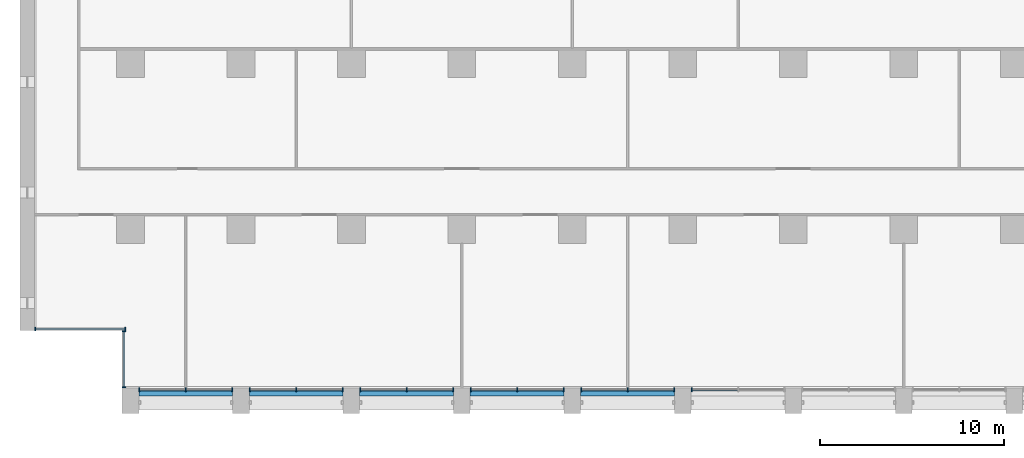
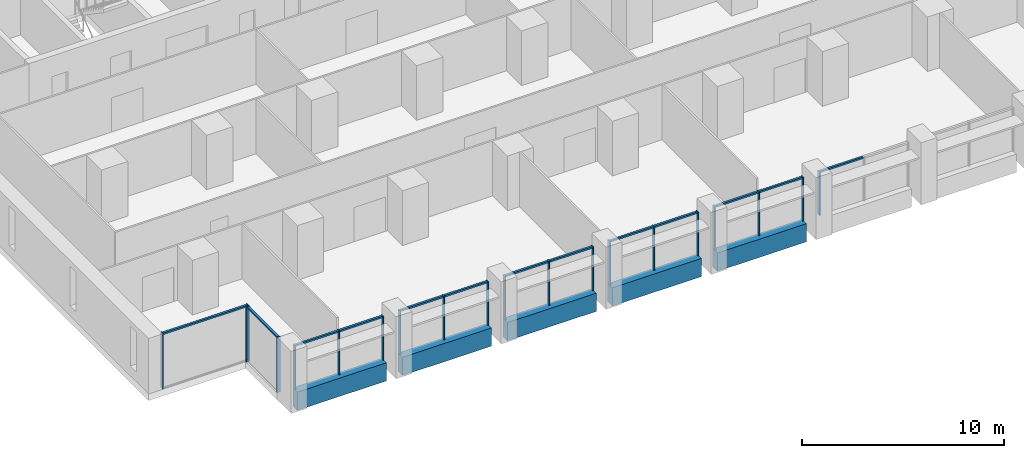
# One storey, part 2 of 18: 33 members, 5 beams, 8 elements without a shape of their own.
"""IFC4 building model written with IfcOpenShell, lengths in metres."""

from ifc_helpers import new_model, si_unit, direction, frame, origin, origin_2d, place, context, subcontext, project, spatial, rectangle, extrude, material, material_profile, profile_set, type_object, element, aggregate, save


model = new_model("IFC4")

# Units and contexts
model_context = context("Model", 3, precision=1e-05, world=origin(), true_north=direction((0.0, 1.0)))
body_context = subcontext(model_context, "Body", "Model", "MODEL_VIEW")
ifc_project = project(units=[si_unit("LENGTHUNIT", "METRE"), si_unit("AREAUNIT", "SQUARE_METRE"), si_unit("VOLUMEUNIT", "CUBIC_METRE"), si_unit("PLANEANGLEUNIT", "RADIAN"), si_unit("MASSUNIT", "GRAM", prefix="KILO")], contexts=[model_context])

# Site, building, storey
site_placement = place(None, origin())
site = spatial("IfcSite", under=ifc_project, at=site_placement, CompositionType="ELEMENT")
building_placement = place(site_placement, origin())
building = spatial("IfcBuilding", under=site, at=building_placement, Name="Calvaro Tower", CompositionType="ELEMENT")
storey_placement = place(building_placement, frame((0.0, 0.0, 78.75)))
storey = spatial("IfcBuildingStorey", under=building, at=storey_placement, Name="L19", CompositionType="ELEMENT", Elevation=78.75)

# Curtain wall, members
ifc_material_1 = material(Name="Anodised aluminium", Category="aluminium")
curtain_wall_type = type_object("IfcCurtainWallType", Name="Office curtain wall, lower zone", PredefinedType="NOTDEFINED", material=ifc_material_1)
curtain_wall_1_placement = place(storey_placement, origin())
curtain_wall_1 = element("IfcCurtainWall", 1, at=curtain_wall_1_placement, inside=storey, type_object=curtain_wall_type, Name="CW1 south curtain wall", PredefinedType="NOTDEFINED")
ifc_material_2 = material(Name="Anodised aluminium", Category="aluminium")
ifc_material_profile_1 = material_profile(ifc_material_2, rectangle(XDim=0.199951171875, YDim=0.06005859375, at=origin_2d()), Name="Mullion S1 60 x 200")
ifc_profile_set_1 = profile_set([ifc_material_profile_1], Name="Anodised aluminium")
member_type_1 = type_object("IfcMemberType", Name="Mullion S1 60 x 200", PredefinedType="MULLION", material=ifc_profile_set_1)
member_1_placement = place(storey_placement, frame((6.47998046875, 1.300048828125, 0.0), z_axis=(0.0, 0.0, 1.0), x_axis=(0.0, 1.0, 0.0)))
member_1 = element("IfcMember", 2, at=member_1_placement, type_object=member_type_1, Name="CW1 mullion 1", PredefinedType="MULLION", context=body_context, shape_type="SweptSolid", body=[
    extrude(rectangle(XDim=0.199951171875, YDim=0.06005859375, at=origin_2d()), origin(), (0.0, 0.0, 1.0), 2.64990234375),
])
member_2_placement = place(storey_placement, frame((9.0, 1.300048828125, 0.0), z_axis=(0.0, 0.0, 1.0), x_axis=(0.0, 1.0, 0.0)))
member_2 = element("IfcMember", 3, at=member_2_placement, type_object=member_type_1, Name="CW1 mullion 2", PredefinedType="MULLION", context=body_context, shape_type="SweptSolid", body=[
    extrude(rectangle(XDim=0.199951171875, YDim=0.06005859375, at=origin_2d()), origin(), (0.0, 0.0, 1.0), 2.64990234375),
])
member_3_placement = place(storey_placement, frame((11.52001953125, 1.300048828125, 0.0), z_axis=(0.0, 0.0, 1.0), x_axis=(0.0, 1.0, 0.0)))
member_3 = element("IfcMember", 4, at=member_3_placement, type_object=member_type_1, Name="CW1 mullion 3", PredefinedType="MULLION", context=body_context, shape_type="SweptSolid", body=[
    extrude(rectangle(XDim=0.199951171875, YDim=0.06005859375, at=origin_2d()), origin(), (0.0, 0.0, 1.0), 2.64990234375),
])

curtain_wall_2_placement = place(storey_placement, origin())
curtain_wall_2 = element("IfcCurtainWall", 5, at=curtain_wall_2_placement, inside=storey, type_object=curtain_wall_type, Name="CW1 south curtain wall", PredefinedType="NOTDEFINED")
member_4_placement = place(storey_placement, frame((12.47998046875, 1.300048828125, 0.0), z_axis=(0.0, 0.0, 1.0), x_axis=(0.0, 1.0, 0.0)))
member_4 = element("IfcMember", 6, at=member_4_placement, type_object=member_type_1, Name="CW1 mullion 1", PredefinedType="MULLION", context=body_context, shape_type="SweptSolid", body=[
    extrude(rectangle(XDim=0.199951171875, YDim=0.06005859375, at=origin_2d()), origin(), (0.0, 0.0, 1.0), 2.64990234375),
])
member_5_placement = place(storey_placement, frame((15.0, 1.300048828125, 0.0), z_axis=(0.0, 0.0, 1.0), x_axis=(0.0, 1.0, 0.0)))
member_5 = element("IfcMember", 7, at=member_5_placement, type_object=member_type_1, Name="CW1 mullion 2", PredefinedType="MULLION", context=body_context, shape_type="SweptSolid", body=[
    extrude(rectangle(XDim=0.199951171875, YDim=0.06005859375, at=origin_2d()), origin(), (0.0, 0.0, 1.0), 2.64990234375),
])
member_6_placement = place(storey_placement, frame((17.52001953125, 1.300048828125, 0.0), z_axis=(0.0, 0.0, 1.0), x_axis=(0.0, 1.0, 0.0)))
member_6 = element("IfcMember", 8, at=member_6_placement, type_object=member_type_1, Name="CW1 mullion 3", PredefinedType="MULLION", context=body_context, shape_type="SweptSolid", body=[
    extrude(rectangle(XDim=0.199951171875, YDim=0.06005859375, at=origin_2d()), origin(), (0.0, 0.0, 1.0), 2.64990234375),
])

curtain_wall_3_placement = place(storey_placement, origin())
curtain_wall_3 = element("IfcCurtainWall", 9, at=curtain_wall_3_placement, inside=storey, type_object=curtain_wall_type, Name="CW1 south curtain wall", PredefinedType="NOTDEFINED")
member_7_placement = place(storey_placement, frame((18.47998046875, 1.300048828125, 0.0), z_axis=(0.0, 0.0, 1.0), x_axis=(0.0, 1.0, 0.0)))
member_7 = element("IfcMember", 10, at=member_7_placement, type_object=member_type_1, Name="CW1 mullion 1", PredefinedType="MULLION", context=body_context, shape_type="SweptSolid", body=[
    extrude(rectangle(XDim=0.199951171875, YDim=0.06005859375, at=origin_2d()), origin(), (0.0, 0.0, 1.0), 2.64990234375),
])
member_8_placement = place(storey_placement, frame((21.0, 1.300048828125, 0.0), z_axis=(0.0, 0.0, 1.0), x_axis=(0.0, 1.0, 0.0)))
member_8 = element("IfcMember", 11, at=member_8_placement, type_object=member_type_1, Name="CW1 mullion 2", PredefinedType="MULLION", context=body_context, shape_type="SweptSolid", body=[
    extrude(rectangle(XDim=0.199951171875, YDim=0.06005859375, at=origin_2d()), origin(), (0.0, 0.0, 1.0), 2.64990234375),
])
member_9_placement = place(storey_placement, frame((23.52001953125, 1.300048828125, 0.0), z_axis=(0.0, 0.0, 1.0), x_axis=(0.0, 1.0, 0.0)))
member_9 = element("IfcMember", 12, at=member_9_placement, type_object=member_type_1, Name="CW1 mullion 3", PredefinedType="MULLION", context=body_context, shape_type="SweptSolid", body=[
    extrude(rectangle(XDim=0.199951171875, YDim=0.06005859375, at=origin_2d()), origin(), (0.0, 0.0, 1.0), 2.64990234375),
])

curtain_wall_4_placement = place(storey_placement, origin())
curtain_wall_4 = element("IfcCurtainWall", 13, at=curtain_wall_4_placement, inside=storey, type_object=curtain_wall_type, Name="CW1 south curtain wall", PredefinedType="NOTDEFINED")
member_10_placement = place(storey_placement, frame((24.47998046875, 1.300048828125, 0.0), z_axis=(0.0, 0.0, 1.0), x_axis=(0.0, 1.0, 0.0)))
member_10 = element("IfcMember", 14, at=member_10_placement, type_object=member_type_1, Name="CW1 mullion 1", PredefinedType="MULLION", context=body_context, shape_type="SweptSolid", body=[
    extrude(rectangle(XDim=0.199951171875, YDim=0.06005859375, at=origin_2d()), origin(), (0.0, 0.0, 1.0), 2.64990234375),
])
member_11_placement = place(storey_placement, frame((27.0, 1.300048828125, 0.0), z_axis=(0.0, 0.0, 1.0), x_axis=(0.0, 1.0, 0.0)))
member_11 = element("IfcMember", 15, at=member_11_placement, type_object=member_type_1, Name="CW1 mullion 2", PredefinedType="MULLION", context=body_context, shape_type="SweptSolid", body=[
    extrude(rectangle(XDim=0.199951171875, YDim=0.06005859375, at=origin_2d()), origin(), (0.0, 0.0, 1.0), 2.64990234375),
])
member_12_placement = place(storey_placement, frame((29.52001953125, 1.300048828125, 0.0), z_axis=(0.0, 0.0, 1.0), x_axis=(0.0, 1.0, 0.0)))
member_12 = element("IfcMember", 16, at=member_12_placement, type_object=member_type_1, Name="CW1 mullion 3", PredefinedType="MULLION", context=body_context, shape_type="SweptSolid", body=[
    extrude(rectangle(XDim=0.199951171875, YDim=0.06005859375, at=origin_2d()), origin(), (0.0, 0.0, 1.0), 2.64990234375),
])

curtain_wall_5_placement = place(storey_placement, origin())
curtain_wall_5 = element("IfcCurtainWall", 17, at=curtain_wall_5_placement, inside=storey, type_object=curtain_wall_type, Name="CW1 south curtain wall", PredefinedType="NOTDEFINED")
member_13_placement = place(storey_placement, frame((30.47998046875, 1.300048828125, 0.0), z_axis=(0.0, 0.0, 1.0), x_axis=(0.0, 1.0, 0.0)))
member_13 = element("IfcMember", 18, at=member_13_placement, type_object=member_type_1, Name="CW1 mullion 1", PredefinedType="MULLION", context=body_context, shape_type="SweptSolid", body=[
    extrude(rectangle(XDim=0.199951171875, YDim=0.06005859375, at=origin_2d()), origin(), (0.0, 0.0, 1.0), 2.64990234375),
])
member_14_placement = place(storey_placement, frame((33.0, 1.300048828125, 0.0), z_axis=(0.0, 0.0, 1.0), x_axis=(0.0, 1.0, 0.0)))
member_14 = element("IfcMember", 19, at=member_14_placement, type_object=member_type_1, Name="CW1 mullion 2", PredefinedType="MULLION", context=body_context, shape_type="SweptSolid", body=[
    extrude(rectangle(XDim=0.199951171875, YDim=0.06005859375, at=origin_2d()), origin(), (0.0, 0.0, 1.0), 2.64990234375),
])
member_15_placement = place(storey_placement, frame((35.52001953125, 1.300048828125, 0.0), z_axis=(0.0, 0.0, 1.0), x_axis=(0.0, 1.0, 0.0)))
member_15 = element("IfcMember", 20, at=member_15_placement, type_object=member_type_1, Name="CW1 mullion 3", PredefinedType="MULLION", context=body_context, shape_type="SweptSolid", body=[
    extrude(rectangle(XDim=0.199951171875, YDim=0.06005859375, at=origin_2d()), origin(), (0.0, 0.0, 1.0), 2.64990234375),
])

# Curtain wall, member
curtain_wall_6_placement = place(storey_placement, origin())
curtain_wall_6 = element("IfcCurtainWall", 21, at=curtain_wall_6_placement, inside=storey, type_object=curtain_wall_type, Name="CW1 south curtain wall", PredefinedType="NOTDEFINED")
member_16_placement = place(storey_placement, frame((36.47998046875, 1.300048828125, 0.0), z_axis=(0.0, 0.0, 1.0), x_axis=(0.0, 1.0, 0.0)))
member_16 = element("IfcMember", 22, at=member_16_placement, type_object=member_type_1, Name="CW1 mullion 1", PredefinedType="MULLION", context=body_context, shape_type="SweptSolid", body=[
    extrude(rectangle(XDim=0.199951171875, YDim=0.06005859375, at=origin_2d()), origin(), (0.0, 0.0, 1.0), 2.64990234375),
])

# Curtain wall, members
curtain_wall_7_placement = place(storey_placement, origin())
curtain_wall_7 = element("IfcCurtainWall", 23, at=curtain_wall_7_placement, inside=storey, type_object=curtain_wall_type, Name="CW1 corner curtain wall", PredefinedType="NOTDEFINED")
member_17_placement = place(storey_placement, frame((5.64990234375, 1.429931640625, 0.0), z_axis=(0.0, 0.0, 1.0), x_axis=(-1.0, 0.0, 0.0)))
member_17 = element("IfcMember", 24, at=member_17_placement, type_object=member_type_1, Name="CW1 mullion 1", PredefinedType="MULLION", context=body_context, shape_type="SweptSolid", body=[
    extrude(rectangle(XDim=0.199951171875, YDim=0.06005859375, at=origin_2d()), origin(), (0.0, 0.0, 1.0), 3.35009765625),
])
member_18_placement = place(storey_placement, frame((5.64990234375, 4.469970703125, 0.0), z_axis=(0.0, 0.0, 1.0), x_axis=(-1.0, 0.0, 0.0)))
member_18 = element("IfcMember", 25, at=member_18_placement, type_object=member_type_1, Name="CW1 mullion 2", PredefinedType="MULLION", context=body_context, shape_type="SweptSolid", body=[
    extrude(rectangle(XDim=0.199951171875, YDim=0.06005859375, at=origin_2d()), origin(), (0.0, 0.0, 1.0), 3.35009765625),
])

curtain_wall_8_placement = place(storey_placement, origin())
curtain_wall_8 = element("IfcCurtainWall", 26, at=curtain_wall_8_placement, inside=storey, type_object=curtain_wall_type, Name="CW1 corner curtain wall", PredefinedType="NOTDEFINED")
member_19_placement = place(storey_placement, frame((0.830078125, 4.60009765625, 0.0), z_axis=(0.0, 0.0, 1.0), x_axis=(0.0, 1.0, 0.0)))
member_19 = element("IfcMember", 27, at=member_19_placement, type_object=member_type_1, Name="CW1 mullion 1", PredefinedType="MULLION", context=body_context, shape_type="SweptSolid", body=[
    extrude(rectangle(XDim=0.199951171875, YDim=0.06005859375, at=origin_2d()), origin(), (0.0, 0.0, 1.0), 3.35009765625),
])
member_20_placement = place(storey_placement, frame((5.719970703125, 4.60009765625, 0.0), z_axis=(0.0, 0.0, 1.0), x_axis=(0.0, 1.0, 0.0)))
member_20 = element("IfcMember", 28, at=member_20_placement, type_object=member_type_1, Name="CW1 mullion 2", PredefinedType="MULLION", context=body_context, shape_type="SweptSolid", body=[
    extrude(rectangle(XDim=0.199951171875, YDim=0.06005859375, at=origin_2d()), origin(), (0.0, 0.0, 1.0), 3.35009765625),
])

# Beams
ifc_material_3 = material(Name="Concrete C50/60 precast", Category="concrete")
ifc_material_profile_2 = material_profile(ifc_material_3, rectangle(XDim=0.449951171875, YDim=1.10009765625, at=origin_2d()), Name="RC 450x1100")
ifc_profile_set_2 = profile_set([ifc_material_profile_2], Name="Concrete C50/60 precast")
beam_type = type_object("IfcBeamType", Name="Spandrel beam 450x1100 C50/60", PredefinedType="SPANDREL", material=ifc_profile_set_2)
for number, where, z_axis, x_axis, name in (
    (29, (6.449951171875, 1.175048828125, -0.550048828125), (1.0, 0.0, 0.0), (0.0, 1.0, 0.0), "Spandrel beam"),
    (30, (12.449951171875, 1.175048828125, -0.550048828125), (1.0, 0.0, 0.0), (0.0, 1.0, 0.0), "Spandrel beam"),
    (31, (18.449951171875, 1.175048828125, -0.550048828125), (1.0, 0.0, 0.0), (0.0, 1.0, 0.0), "Spandrel beam"),
    (32, (24.449951171875, 1.175048828125, -0.550048828125), (1.0, 0.0, 0.0), (0.0, 1.0, 0.0), "Spandrel beam"),
    (33, (30.449951171875, 1.175048828125, -0.550048828125), (1.0, 0.0, 0.0), (0.0, 1.0, 0.0), "Spandrel beam"),
):
    element("IfcBeam", number, at=place(storey_placement, frame(where, z_axis=z_axis, x_axis=x_axis)), inside=storey, type_object=beam_type, Name=name, PredefinedType="SPANDREL", context=body_context, shape_type="SweptSolid", body=[
        extrude(rectangle(XDim=0.449951171875, YDim=1.10009765625, at=origin_2d()), origin(), (0.0, 0.0, 1.0), 5.10009765625),
    ])

# Member
ifc_material_4 = material(Name="Anodised aluminium", Category="aluminium")
ifc_material_profile_3 = material_profile(ifc_material_4, rectangle(XDim=0.1201171875, YDim=0.10009765625, at=origin_2d()), Name="Transom S1 100 x 120")
ifc_profile_set_3 = profile_set([ifc_material_profile_3], Name="Anodised aluminium")
member_type_2 = type_object("IfcMemberType", Name="Transom S1 100 x 120", PredefinedType="USERDEFINED", material=ifc_profile_set_3)
member_21_placement = place(storey_placement, frame((6.510009765625, 1.300048828125, 2.60009765625), z_axis=(1.0, 0.0, 0.0), x_axis=(0.0, 1.0, 0.0)))
member_21 = element("IfcMember", 34, at=member_21_placement, type_object=member_type_2, Name="CW1 transom 1.1", ObjectType="TRANSOM", PredefinedType="USERDEFINED", context=body_context, shape_type="SweptSolid", body=[
    extrude(rectangle(XDim=0.1201171875, YDim=0.10009765625, at=origin_2d()), origin(), (0.0, 0.0, 1.0), 2.4599609375),
])

member_22_placement = place(storey_placement, frame((9.030029296875, 1.300048828125, 2.60009765625), z_axis=(1.0, 0.0, 0.0), x_axis=(0.0, 1.0, 0.0)))
member_22 = element("IfcMember", 35, at=member_22_placement, type_object=member_type_2, Name="CW1 transom 2.1", ObjectType="TRANSOM", PredefinedType="USERDEFINED", context=body_context, shape_type="SweptSolid", body=[
    extrude(rectangle(XDim=0.1201171875, YDim=0.10009765625, at=origin_2d()), origin(), (0.0, 0.0, 1.0), 2.4599609375),
])

aggregate(curtain_wall_1, [member_1, member_2, member_3, member_21, member_22])

member_23_placement = place(storey_placement, frame((12.510009765625, 1.300048828125, 2.60009765625), z_axis=(1.0, 0.0, 0.0), x_axis=(0.0, 1.0, 0.0)))
member_23 = element("IfcMember", 36, at=member_23_placement, type_object=member_type_2, Name="CW1 transom 1.1", ObjectType="TRANSOM", PredefinedType="USERDEFINED", context=body_context, shape_type="SweptSolid", body=[
    extrude(rectangle(XDim=0.1201171875, YDim=0.10009765625, at=origin_2d()), origin(), (0.0, 0.0, 1.0), 2.4599609375),
])

member_24_placement = place(storey_placement, frame((15.030029296875, 1.300048828125, 2.60009765625), z_axis=(1.0, 0.0, 0.0), x_axis=(0.0, 1.0, 0.0)))
member_24 = element("IfcMember", 37, at=member_24_placement, type_object=member_type_2, Name="CW1 transom 2.1", ObjectType="TRANSOM", PredefinedType="USERDEFINED", context=body_context, shape_type="SweptSolid", body=[
    extrude(rectangle(XDim=0.1201171875, YDim=0.10009765625, at=origin_2d()), origin(), (0.0, 0.0, 1.0), 2.4599609375),
])

aggregate(curtain_wall_2, [member_4, member_5, member_6, member_23, member_24])

member_25_placement = place(storey_placement, frame((18.510009765625, 1.300048828125, 2.60009765625), z_axis=(1.0, 0.0, 0.0), x_axis=(0.0, 1.0, 0.0)))
member_25 = element("IfcMember", 38, at=member_25_placement, type_object=member_type_2, Name="CW1 transom 1.1", ObjectType="TRANSOM", PredefinedType="USERDEFINED", context=body_context, shape_type="SweptSolid", body=[
    extrude(rectangle(XDim=0.1201171875, YDim=0.10009765625, at=origin_2d()), origin(), (0.0, 0.0, 1.0), 2.4599609375),
])

member_26_placement = place(storey_placement, frame((21.030029296875, 1.300048828125, 2.60009765625), z_axis=(1.0, 0.0, 0.0), x_axis=(0.0, 1.0, 0.0)))
member_26 = element("IfcMember", 39, at=member_26_placement, type_object=member_type_2, Name="CW1 transom 2.1", ObjectType="TRANSOM", PredefinedType="USERDEFINED", context=body_context, shape_type="SweptSolid", body=[
    extrude(rectangle(XDim=0.1201171875, YDim=0.10009765625, at=origin_2d()), origin(), (0.0, 0.0, 1.0), 2.4599609375),
])

aggregate(curtain_wall_3, [member_7, member_8, member_9, member_25, member_26])

member_27_placement = place(storey_placement, frame((24.510009765625, 1.300048828125, 2.60009765625), z_axis=(1.0, 0.0, 0.0), x_axis=(0.0, 1.0, 0.0)))
member_27 = element("IfcMember", 40, at=member_27_placement, type_object=member_type_2, Name="CW1 transom 1.1", ObjectType="TRANSOM", PredefinedType="USERDEFINED", context=body_context, shape_type="SweptSolid", body=[
    extrude(rectangle(XDim=0.1201171875, YDim=0.10009765625, at=origin_2d()), origin(), (0.0, 0.0, 1.0), 2.4599609375),
])

member_28_placement = place(storey_placement, frame((27.030029296875, 1.300048828125, 2.60009765625), z_axis=(1.0, 0.0, 0.0), x_axis=(0.0, 1.0, 0.0)))
member_28 = element("IfcMember", 41, at=member_28_placement, type_object=member_type_2, Name="CW1 transom 2.1", ObjectType="TRANSOM", PredefinedType="USERDEFINED", context=body_context, shape_type="SweptSolid", body=[
    extrude(rectangle(XDim=0.1201171875, YDim=0.10009765625, at=origin_2d()), origin(), (0.0, 0.0, 1.0), 2.4599609375),
])

aggregate(curtain_wall_4, [member_10, member_11, member_12, member_27, member_28])

member_29_placement = place(storey_placement, frame((30.510009765625, 1.300048828125, 2.60009765625), z_axis=(1.0, 0.0, 0.0), x_axis=(0.0, 1.0, 0.0)))
member_29 = element("IfcMember", 42, at=member_29_placement, type_object=member_type_2, Name="CW1 transom 1.1", ObjectType="TRANSOM", PredefinedType="USERDEFINED", context=body_context, shape_type="SweptSolid", body=[
    extrude(rectangle(XDim=0.1201171875, YDim=0.10009765625, at=origin_2d()), origin(), (0.0, 0.0, 1.0), 2.4599609375),
])

member_30_placement = place(storey_placement, frame((33.030029296875, 1.300048828125, 2.60009765625), z_axis=(1.0, 0.0, 0.0), x_axis=(0.0, 1.0, 0.0)))
member_30 = element("IfcMember", 43, at=member_30_placement, type_object=member_type_2, Name="CW1 transom 2.1", ObjectType="TRANSOM", PredefinedType="USERDEFINED", context=body_context, shape_type="SweptSolid", body=[
    extrude(rectangle(XDim=0.1201171875, YDim=0.10009765625, at=origin_2d()), origin(), (0.0, 0.0, 1.0), 2.4599609375),
])

aggregate(curtain_wall_5, [member_13, member_14, member_15, member_29, member_30])

member_31_placement = place(storey_placement, frame((36.510009765625, 1.300048828125, 2.60009765625), z_axis=(1.0, 0.0, 0.0), x_axis=(0.0, 1.0, 0.0)))
member_31 = element("IfcMember", 44, at=member_31_placement, type_object=member_type_2, Name="CW1 transom 1.1", ObjectType="TRANSOM", PredefinedType="USERDEFINED", context=body_context, shape_type="SweptSolid", body=[
    extrude(rectangle(XDim=0.1201171875, YDim=0.10009765625, at=origin_2d()), origin(), (0.0, 0.0, 1.0), 2.4599609375),
])

aggregate(curtain_wall_6, [member_16, member_31])

member_32_placement = place(storey_placement, frame((5.64990234375, 1.4599609375, 3.300048828125), z_axis=(0.0, 1.0, 0.0), x_axis=(-1.0, 0.0, 0.0)))
member_32 = element("IfcMember", 45, at=member_32_placement, type_object=member_type_2, Name="CW1 transom 1.1", ObjectType="TRANSOM", PredefinedType="USERDEFINED", context=body_context, shape_type="SweptSolid", body=[
    extrude(rectangle(XDim=0.1201171875, YDim=0.10009765625, at=origin_2d()), origin(), (0.0, 0.0, 1.0), 2.97998046875),
])

aggregate(curtain_wall_7, [member_17, member_18, member_32])

member_33_placement = place(storey_placement, frame((0.860107421875, 4.60009765625, 3.300048828125), z_axis=(1.0, 0.0, 0.0), x_axis=(0.0, 1.0, 0.0)))
member_33 = element("IfcMember", 46, at=member_33_placement, type_object=member_type_2, Name="CW1 transom 1.1", ObjectType="TRANSOM", PredefinedType="USERDEFINED", context=body_context, shape_type="SweptSolid", body=[
    extrude(rectangle(XDim=0.1201171875, YDim=0.10009765625, at=origin_2d()), origin(), (0.0, 0.0, 1.0), 4.829833984375),
])

aggregate(curtain_wall_8, [member_19, member_20, member_33])

save(model, "model.ifc")
